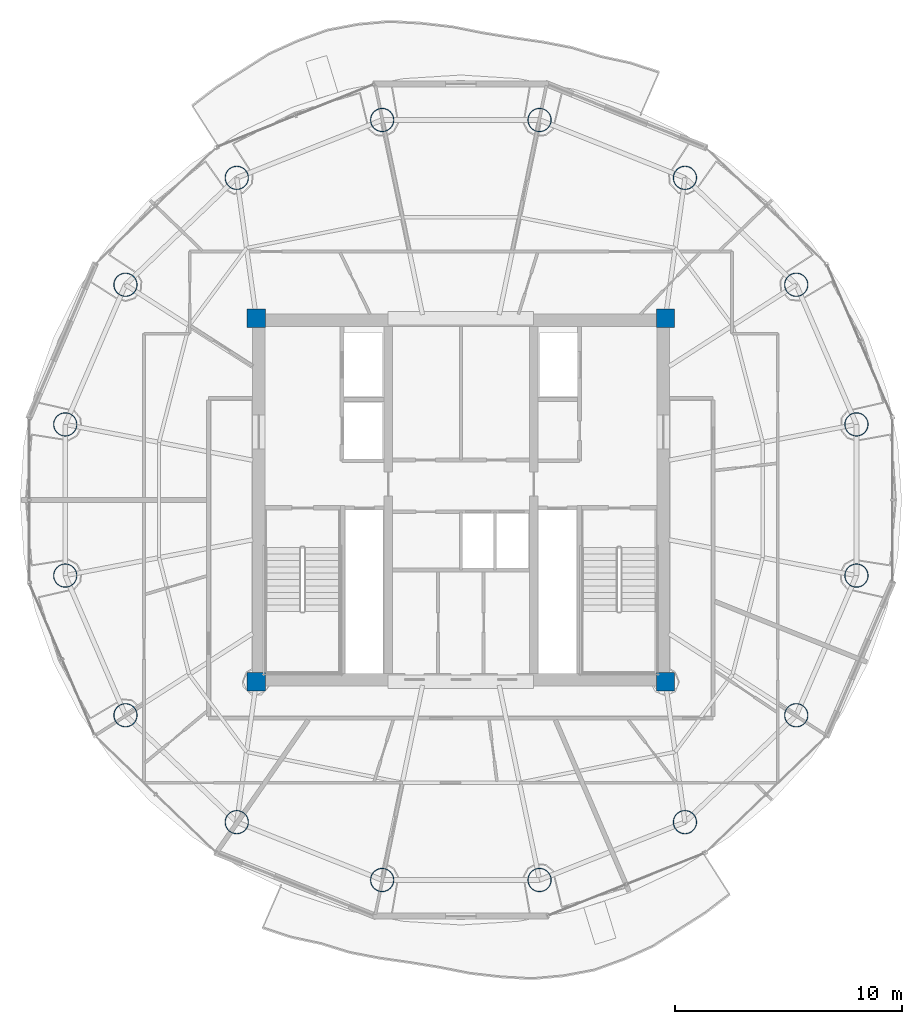
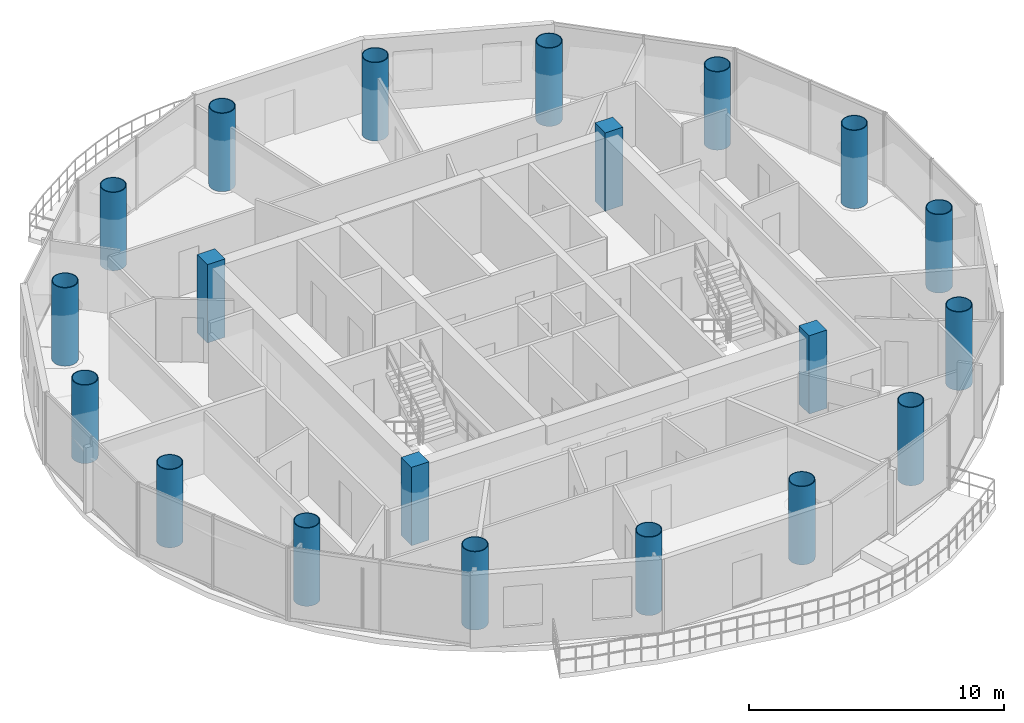
# One storey, part 1 of 24: 20 columns.
"""IFC4 building model written with IfcOpenShell, lengths in metres."""

from ifc_helpers import new_model, si_unit, direction, frame, origin, origin_2d, place, context, subcontext, project, spatial, rectangle, hollow_circle, extrude, material, material_profile, profile_set, type_object, element, save


model = new_model("IFC4")

# Units and contexts
model_context = context("Model", 3, precision=1e-05, world=origin(), true_north=direction((-0.2419218956, 0.970295726276)))
body_context = subcontext(model_context, "Body", "Model", "MODEL_VIEW")
ifc_project = project(units=[si_unit("LENGTHUNIT", "METRE"), si_unit("AREAUNIT", "SQUARE_METRE"), si_unit("VOLUMEUNIT", "CUBIC_METRE"), si_unit("PLANEANGLEUNIT", "RADIAN"), si_unit("MASSUNIT", "GRAM", prefix="KILO")], contexts=[model_context])

# Site, building, storey
site_placement = place(None, origin())
site = spatial("IfcSite", under=ifc_project, at=site_placement, CompositionType="ELEMENT")
building_placement = place(site_placement, origin())
building = spatial("IfcBuilding", under=site, at=building_placement, Name="Cobrevalo Terracotta Tower", CompositionType="ELEMENT")
storey_placement = place(building_placement, frame((0.0, 0.0, 278.199951171875)))
storey = spatial("IfcBuildingStorey", under=building, at=storey_placement, Name="L73", CompositionType="ELEMENT", Elevation=278.199951171875)

# Columns
ifc_material_1 = material(Name="Steel S355", Category="steel")
ifc_material_profile_1 = material_profile(ifc_material_1, hollow_circle(Radius=0.52490234375, WallThickness=0.034912109375, at=origin_2d()), Name="CHS 1050x35")
ifc_profile_set_1 = profile_set([ifc_material_profile_1], Name="Steel S355")
column_type_1 = type_object("IfcColumnType", Name="Structural Column CHS 1050x35 (Steel S355)", PredefinedType="COLUMN", material=ifc_profile_set_1)
for number, where, z_axis, x_axis, name in (
    (1, (55.408935546875, 30.126220703125, 0.0), (0.0, 0.0, 1.0), (1.0, 0.0, 0.0), "L73 composite megacolumn MC01"),
    (2, (52.758544921875, 36.2724609375, 0.0), (0.0, 0.0, 1.0), (1.0, 0.0, 0.0), "L73 composite megacolumn MC02"),
    (3, (47.861328125, 40.9765625, 0.0), (0.0, 0.0, 1.0), (1.0, 0.0, 0.0), "L73 composite megacolumn MC03"),
    (4, (41.462890625, 43.5224609375, 0.0), (0.0, 0.0, 1.0), (1.0, 0.0, 0.0), "L73 composite megacolumn MC04"),
    (5, (34.537109375, 43.5224609375, 0.0), (0.0, 0.0, 1.0), (1.0, 0.0, 0.0), "L73 composite megacolumn MC05"),
    (6, (28.138671875, 40.9765625, 0.0), (0.0, 0.0, 1.0), (1.0, 0.0, 0.0), "L73 composite megacolumn MC06"),
    (7, (23.241455078125, 36.2724609375, 0.0), (0.0, 0.0, 1.0), (1.0, 0.0, 0.0), "L73 composite megacolumn MC07"),
    (8, (20.591064453125, 30.126220703125, 0.0), (0.0, 0.0, 1.0), (1.0, 0.0, 0.0), "L73 composite megacolumn MC08"),
    (9, (20.591064453125, 23.4736328125, 0.0), (0.0, 0.0, 1.0), (1.0, 0.0, 0.0), "L73 composite megacolumn MC09"),
    (10, (23.241455078125, 17.32763671875, 0.0), (0.0, 0.0, 1.0), (1.0, 0.0, 0.0), "L73 composite megacolumn MC10"),
    (11, (28.138671875, 12.62353515625, 0.0), (0.0, 0.0, 1.0), (1.0, 0.0, 0.0), "L73 composite megacolumn MC11"),
    (12, (34.537109375, 10.07763671875, 0.0), (0.0, 0.0, 1.0), (1.0, 0.0, 0.0), "L73 composite megacolumn MC12"),
    (13, (41.462890625, 10.07763671875, 0.0), (0.0, 0.0, 1.0), (1.0, 0.0, 0.0), "L73 composite megacolumn MC13"),
    (14, (47.861328125, 12.62353515625, 0.0), (0.0, 0.0, 1.0), (1.0, 0.0, 0.0), "L73 composite megacolumn MC14"),
    (15, (52.758544921875, 17.32763671875, 0.0), (0.0, 0.0, 1.0), (1.0, 0.0, 0.0), "L73 composite megacolumn MC15"),
    (16, (55.408935546875, 23.4736328125, 0.0), (0.0, 0.0, 1.0), (1.0, 0.0, 0.0), "L73 composite megacolumn MC16"),
):
    element("IfcColumn", number, at=place(storey_placement, frame(where, z_axis=z_axis, x_axis=x_axis)), inside=storey, type_object=column_type_1, Name=name, PredefinedType="COLUMN", context=body_context, shape_type="SweptSolid", body=[
        extrude(hollow_circle(Radius=0.52490234375, WallThickness=0.034912109375, at=origin_2d()), origin(), (0.0, 0.0, 1.0), 3.75),
    ])
ifc_material_2 = material(Name="Concrete C50", Category="concrete")
ifc_material_profile_2 = material_profile(ifc_material_2, rectangle(XDim=0.800048828125, YDim=0.800048828125, at=origin_2d()), Name="RC COL 800x800")
ifc_profile_set_2 = profile_set([ifc_material_profile_2], Name="Concrete C50")
column_type_2 = type_object("IfcColumnType", Name="Structural Column RC COL 800x800 (Concrete C50)", PredefinedType="COLUMN", material=ifc_profile_set_2)
for number, where, z_axis, x_axis, name in (
    (17, (29.0, 18.800048828125, 0.0), (0.0, 0.0, 1.0), (1.0, 0.0, 0.0), "L73 core corner column CC1"),
    (18, (47.0, 18.800048828125, 0.0), (0.0, 0.0, 1.0), (1.0, 0.0, 0.0), "L73 core corner column CC2"),
    (19, (47.0, 34.800048828125, 0.0), (0.0, 0.0, 1.0), (1.0, 0.0, 0.0), "L73 core corner column CC3"),
    (20, (29.0, 34.800048828125, 0.0), (0.0, 0.0, 1.0), (1.0, 0.0, 0.0), "L73 core corner column CC4"),
):
    element("IfcColumn", number, at=place(storey_placement, frame(where, z_axis=z_axis, x_axis=x_axis)), inside=storey, type_object=column_type_2, Name=name, PredefinedType="COLUMN", context=body_context, shape_type="SweptSolid", body=[
        extrude(rectangle(XDim=0.800048828125, YDim=0.800048828125, at=origin_2d()), origin(), (0.0, 0.0, 1.0), 3.75),
    ])

save(model, "model.ifc")
